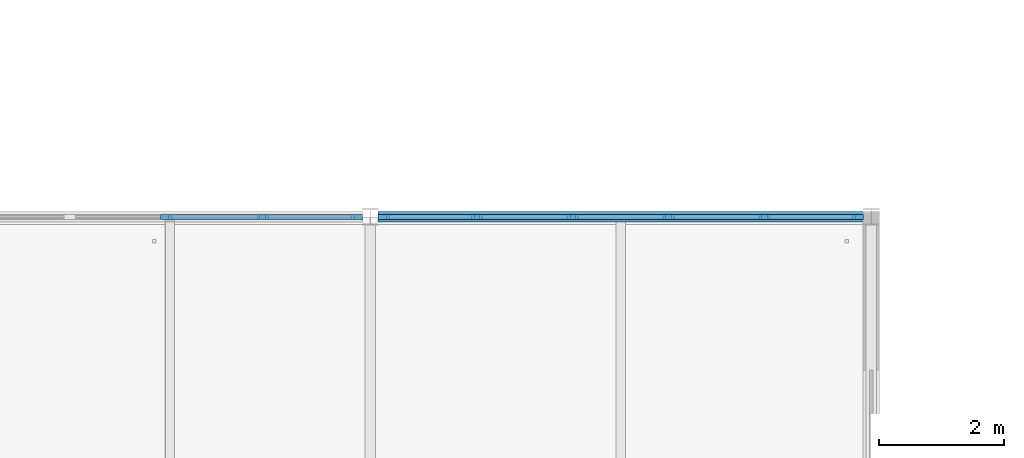
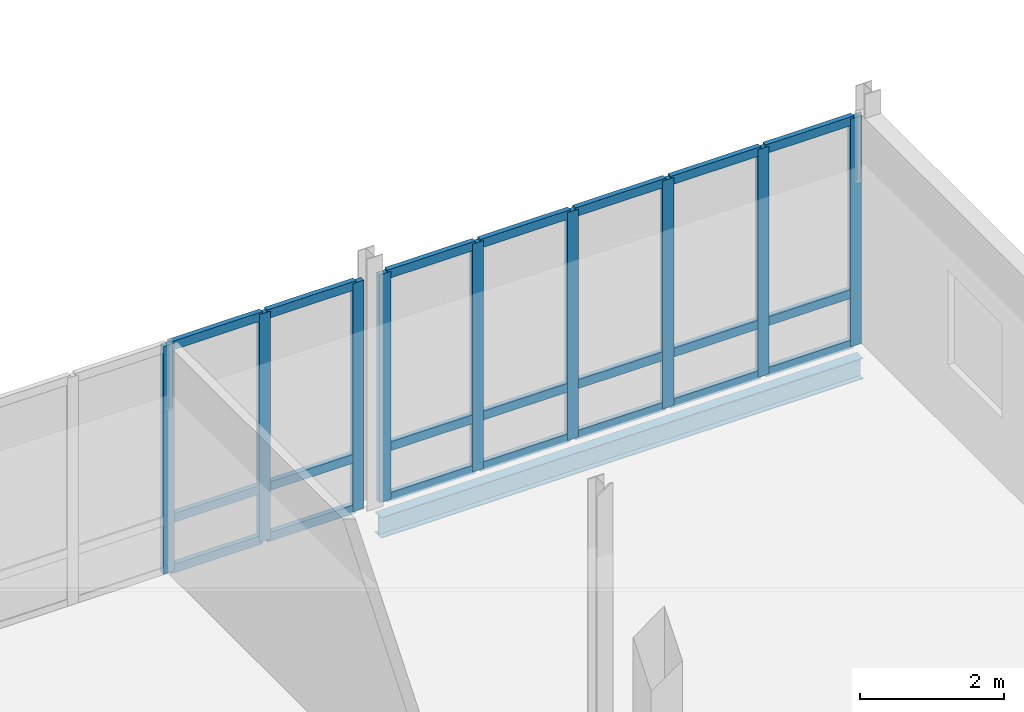
# One storey, part 34 of 107: 30 members, 1 beam, 2 elements without a shape of their own.
"""IFC4 building model written with IfcOpenShell, lengths in metres."""

from ifc_helpers import new_model, si_unit, direction, frame, origin, origin_2d, place, context, subcontext, project, spatial, rectangle, i_section, extrude, material, material_profile, profile_set, type_object, element, aggregate, save


model = new_model("IFC4")

# Units and contexts
model_context = context("Model", 3, precision=1e-05, world=origin(), true_north=direction((0.0, 1.0)))
body_context = subcontext(model_context, "Body", "Model", "MODEL_VIEW")
ifc_project = project(units=[si_unit("LENGTHUNIT", "METRE"), si_unit("AREAUNIT", "SQUARE_METRE"), si_unit("VOLUMEUNIT", "CUBIC_METRE"), si_unit("PLANEANGLEUNIT", "RADIAN"), si_unit("MASSUNIT", "GRAM", prefix="KILO")], contexts=[model_context])

# Site, building, storey
site_placement = place(None, origin())
site = spatial("IfcSite", under=ifc_project, at=site_placement, CompositionType="ELEMENT")
building_placement = place(site_placement, origin())
building = spatial("IfcBuilding", under=site, at=building_placement, Name="Dunescarp Central Library", CompositionType="ELEMENT")
storey_placement = place(building_placement, frame((0.0, 0.0, 5.10009765625)))
storey = spatial("IfcBuildingStorey", under=building, at=storey_placement, Name="L01", CompositionType="ELEMENT", Elevation=5.10009765625)

# Curtain wall, members
ifc_material_1 = material(Name="Marine-grade anodised aluminium 6063-T6", Category="aluminium")
curtain_wall_type = type_object("IfcCurtainWallType", Name="ARC-CW-STICK", PredefinedType="NOTDEFINED", material=ifc_material_1)
curtain_wall_1_placement = place(storey_placement, origin())
curtain_wall_1 = element("IfcCurtainWall", 1, at=curtain_wall_1_placement, inside=storey, type_object=curtain_wall_type, Name="L01 curtain wall CW-V3D-L01-110", PredefinedType="NOTDEFINED")
ifc_material_profile_1 = material_profile(ifc_material_1, rectangle(XDim=0.080078125, YDim=0.179931640625, at=origin_2d()), Name="AL 80x180")
ifc_profile_set_1 = profile_set([ifc_material_profile_1], Name="Marine-grade anodised aluminium 6063-T6")
member_type_1 = type_object("IfcMemberType", Name="ARC-CWM-180", PredefinedType="MULLION", material=ifc_profile_set_1)
member_1_placement = place(storey_placement, frame((113.541748046875, 49.60009765625, 0.0), z_axis=(0.0, 0.0, 1.0), x_axis=(0.0, 1.0, 0.0)))
member_1 = element("IfcMember", 2, at=member_1_placement, type_object=member_type_1, Name="CW-V3D-L01-110 mullion 5", PredefinedType="MULLION", context=body_context, shape_type="SweptSolid", body=[
    extrude(rectangle(XDim=0.080078125, YDim=0.179931640625, at=origin_2d()), origin(), (0.0, 0.0, 1.0), 3.875),
])
member_2_placement = place(storey_placement, frame((115.083251953125, 49.60009765625, 0.0), z_axis=(0.0, 0.0, 1.0), x_axis=(0.0, 1.0, 0.0)))
member_2 = element("IfcMember", 3, at=member_2_placement, type_object=member_type_1, Name="CW-V3D-L01-110 mullion 6", PredefinedType="MULLION", context=body_context, shape_type="SweptSolid", body=[
    extrude(rectangle(XDim=0.080078125, YDim=0.179931640625, at=origin_2d()), origin(), (0.0, 0.0, 1.0), 3.875),
])
member_3_placement = place(storey_placement, frame((116.5849609375, 49.60009765625, 0.0), z_axis=(0.0, 0.0, 1.0), x_axis=(0.0, 1.0, 0.0)))
member_3 = element("IfcMember", 4, at=member_3_placement, type_object=member_type_1, Name="CW-V3D-L01-110 mullion 7", PredefinedType="MULLION", context=body_context, shape_type="SweptSolid", body=[
    extrude(rectangle(XDim=0.080078125, YDim=0.179931640625, at=origin_2d()), origin(), (0.0, 0.0, 1.0), 3.875),
])

curtain_wall_2_placement = place(storey_placement, origin())
curtain_wall_2 = element("IfcCurtainWall", 5, at=curtain_wall_2_placement, inside=storey, type_object=curtain_wall_type, Name="L01 curtain wall CW-V3D-L01-111", PredefinedType="NOTDEFINED")
member_4_placement = place(storey_placement, frame((117.014892578125, 49.60009765625, 0.0), z_axis=(0.0, 0.0, 1.0), x_axis=(0.0, 1.0, 0.0)))
member_4 = element("IfcMember", 6, at=member_4_placement, type_object=member_type_1, Name="CW-V3D-L01-111 mullion 1", PredefinedType="MULLION", context=body_context, shape_type="SweptSolid", body=[
    extrude(rectangle(XDim=0.080078125, YDim=0.179931640625, at=origin_2d()), origin(), (0.0, 0.0, 1.0), 3.875),
])
member_5_placement = place(storey_placement, frame((118.5048828125, 49.60009765625, 0.0), z_axis=(0.0, 0.0, 1.0), x_axis=(0.0, 1.0, 0.0)))
member_5 = element("IfcMember", 7, at=member_5_placement, type_object=member_type_1, Name="CW-V3D-L01-111 mullion 2", PredefinedType="MULLION", context=body_context, shape_type="SweptSolid", body=[
    extrude(rectangle(XDim=0.080078125, YDim=0.179931640625, at=origin_2d()), origin(), (0.0, 0.0, 1.0), 3.875),
])
member_6_placement = place(storey_placement, frame((120.034912109375, 49.60009765625, 0.0), z_axis=(0.0, 0.0, 1.0), x_axis=(0.0, 1.0, 0.0)))
member_6 = element("IfcMember", 8, at=member_6_placement, type_object=member_type_1, Name="CW-V3D-L01-111 mullion 3", PredefinedType="MULLION", context=body_context, shape_type="SweptSolid", body=[
    extrude(rectangle(XDim=0.080078125, YDim=0.179931640625, at=origin_2d()), origin(), (0.0, 0.0, 1.0), 3.875),
])
member_7_placement = place(storey_placement, frame((121.56494140625, 49.60009765625, 0.0), z_axis=(0.0, 0.0, 1.0), x_axis=(0.0, 1.0, 0.0)))
member_7 = element("IfcMember", 9, at=member_7_placement, type_object=member_type_1, Name="CW-V3D-L01-111 mullion 4", PredefinedType="MULLION", context=body_context, shape_type="SweptSolid", body=[
    extrude(rectangle(XDim=0.080078125, YDim=0.179931640625, at=origin_2d()), origin(), (0.0, 0.0, 1.0), 3.875),
])
member_8_placement = place(storey_placement, frame((123.094970703125, 49.60009765625, 0.0), z_axis=(0.0, 0.0, 1.0), x_axis=(0.0, 1.0, 0.0)))
member_8 = element("IfcMember", 10, at=member_8_placement, type_object=member_type_1, Name="CW-V3D-L01-111 mullion 5", PredefinedType="MULLION", context=body_context, shape_type="SweptSolid", body=[
    extrude(rectangle(XDim=0.080078125, YDim=0.179931640625, at=origin_2d()), origin(), (0.0, 0.0, 1.0), 3.875),
])
member_9_placement = place(storey_placement, frame((124.5849609375, 49.60009765625, 0.0), z_axis=(0.0, 0.0, 1.0), x_axis=(0.0, 1.0, 0.0)))
member_9 = element("IfcMember", 11, at=member_9_placement, type_object=member_type_1, Name="CW-V3D-L01-111 mullion 6", PredefinedType="MULLION", context=body_context, shape_type="SweptSolid", body=[
    extrude(rectangle(XDim=0.080078125, YDim=0.179931640625, at=origin_2d()), origin(), (0.0, 0.0, 1.0), 3.875),
])

# Member
ifc_material_profile_2 = material_profile(ifc_material_1, rectangle(XDim=0.080078125, YDim=0.14990234375, at=origin_2d()), Name="AL 80x150")
ifc_profile_set_2 = profile_set([ifc_material_profile_2], Name="Marine-grade anodised aluminium 6063-T6")
member_type_2 = type_object("IfcMemberType", Name="ARC-CWT-150", PredefinedType="USERDEFINED", material=ifc_profile_set_2)
member_10_placement = place(storey_placement, frame((113.581787109375, 49.60009765625, 0.039794921875), z_axis=(1.0, 0.0, 0.0), x_axis=(0.0, 1.0, 0.0)))
member_10 = element("IfcMember", 12, at=member_10_placement, type_object=member_type_2, Name="CW-V3D-L01-110 transom 5.1", ObjectType="TRANSOM", PredefinedType="USERDEFINED", context=body_context, shape_type="SweptSolid", body=[
    extrude(rectangle(XDim=0.080078125, YDim=0.14990234375, at=origin_2d()), origin(), (0.0, 0.0, 1.0), 1.46142578125),
])

member_11_placement = place(storey_placement, frame((113.581787109375, 49.60009765625, 0.89990234375), z_axis=(1.0, 0.0, 0.0), x_axis=(0.0, 1.0, 0.0)))
member_11 = element("IfcMember", 13, at=member_11_placement, type_object=member_type_2, Name="CW-V3D-L01-110 transom 5.2", ObjectType="TRANSOM", PredefinedType="USERDEFINED", context=body_context, shape_type="SweptSolid", body=[
    extrude(rectangle(XDim=0.080078125, YDim=0.14990234375, at=origin_2d()), origin(), (0.0, 0.0, 1.0), 1.46142578125),
])

member_12_placement = place(storey_placement, frame((113.581787109375, 49.60009765625, 3.8349609375), z_axis=(1.0, 0.0, 0.0), x_axis=(0.0, 1.0, 0.0)))
member_12 = element("IfcMember", 14, at=member_12_placement, type_object=member_type_2, Name="CW-V3D-L01-110 transom 5.3", ObjectType="TRANSOM", PredefinedType="USERDEFINED", context=body_context, shape_type="SweptSolid", body=[
    extrude(rectangle(XDim=0.080078125, YDim=0.14990234375, at=origin_2d()), origin(), (0.0, 0.0, 1.0), 1.46142578125),
])

member_13_placement = place(storey_placement, frame((115.123291015625, 49.60009765625, 0.039794921875), z_axis=(1.0, 0.0, 0.0), x_axis=(0.0, 1.0, 0.0)))
member_13 = element("IfcMember", 15, at=member_13_placement, type_object=member_type_2, Name="CW-V3D-L01-110 transom 6.1", ObjectType="TRANSOM", PredefinedType="USERDEFINED", context=body_context, shape_type="SweptSolid", body=[
    extrude(rectangle(XDim=0.080078125, YDim=0.14990234375, at=origin_2d()), origin(), (0.0, 0.0, 1.0), 1.421630859375),
])

member_14_placement = place(storey_placement, frame((115.123291015625, 49.60009765625, 0.89990234375), z_axis=(1.0, 0.0, 0.0), x_axis=(0.0, 1.0, 0.0)))
member_14 = element("IfcMember", 16, at=member_14_placement, type_object=member_type_2, Name="CW-V3D-L01-110 transom 6.2", ObjectType="TRANSOM", PredefinedType="USERDEFINED", context=body_context, shape_type="SweptSolid", body=[
    extrude(rectangle(XDim=0.080078125, YDim=0.14990234375, at=origin_2d()), origin(), (0.0, 0.0, 1.0), 1.421630859375),
])

member_15_placement = place(storey_placement, frame((115.123291015625, 49.60009765625, 3.8349609375), z_axis=(1.0, 0.0, 0.0), x_axis=(0.0, 1.0, 0.0)))
member_15 = element("IfcMember", 17, at=member_15_placement, type_object=member_type_2, Name="CW-V3D-L01-110 transom 6.3", ObjectType="TRANSOM", PredefinedType="USERDEFINED", context=body_context, shape_type="SweptSolid", body=[
    extrude(rectangle(XDim=0.080078125, YDim=0.14990234375, at=origin_2d()), origin(), (0.0, 0.0, 1.0), 1.421630859375),
])

aggregate(curtain_wall_1, [member_1, member_2, member_3, member_10, member_11, member_12, member_13, member_14, member_15])

member_16_placement = place(storey_placement, frame((117.054931640625, 49.60009765625, 0.039794921875), z_axis=(1.0, 0.0, 0.0), x_axis=(0.0, 1.0, 0.0)))
member_16 = element("IfcMember", 18, at=member_16_placement, type_object=member_type_2, Name="CW-V3D-L01-111 transom 1.1", ObjectType="TRANSOM", PredefinedType="USERDEFINED", context=body_context, shape_type="SweptSolid", body=[
    extrude(rectangle(XDim=0.080078125, YDim=0.14990234375, at=origin_2d()), origin(), (0.0, 0.0, 1.0), 1.41015625),
])

member_17_placement = place(storey_placement, frame((117.054931640625, 49.60009765625, 0.89990234375), z_axis=(1.0, 0.0, 0.0), x_axis=(0.0, 1.0, 0.0)))
member_17 = element("IfcMember", 19, at=member_17_placement, type_object=member_type_2, Name="CW-V3D-L01-111 transom 1.2", ObjectType="TRANSOM", PredefinedType="USERDEFINED", context=body_context, shape_type="SweptSolid", body=[
    extrude(rectangle(XDim=0.080078125, YDim=0.14990234375, at=origin_2d()), origin(), (0.0, 0.0, 1.0), 1.41015625),
])

member_18_placement = place(storey_placement, frame((117.054931640625, 49.60009765625, 3.8349609375), z_axis=(1.0, 0.0, 0.0), x_axis=(0.0, 1.0, 0.0)))
member_18 = element("IfcMember", 20, at=member_18_placement, type_object=member_type_2, Name="CW-V3D-L01-111 transom 1.3", ObjectType="TRANSOM", PredefinedType="USERDEFINED", context=body_context, shape_type="SweptSolid", body=[
    extrude(rectangle(XDim=0.080078125, YDim=0.14990234375, at=origin_2d()), origin(), (0.0, 0.0, 1.0), 1.41015625),
])

member_19_placement = place(storey_placement, frame((118.544921875, 49.60009765625, 0.039794921875), z_axis=(1.0, 0.0, 0.0), x_axis=(0.0, 1.0, 0.0)))
member_19 = element("IfcMember", 21, at=member_19_placement, type_object=member_type_2, Name="CW-V3D-L01-111 transom 2.1", ObjectType="TRANSOM", PredefinedType="USERDEFINED", context=body_context, shape_type="SweptSolid", body=[
    extrude(rectangle(XDim=0.080078125, YDim=0.14990234375, at=origin_2d()), origin(), (0.0, 0.0, 1.0), 1.4501953125),
])

member_20_placement = place(storey_placement, frame((118.544921875, 49.60009765625, 0.89990234375), z_axis=(1.0, 0.0, 0.0), x_axis=(0.0, 1.0, 0.0)))
member_20 = element("IfcMember", 22, at=member_20_placement, type_object=member_type_2, Name="CW-V3D-L01-111 transom 2.2", ObjectType="TRANSOM", PredefinedType="USERDEFINED", context=body_context, shape_type="SweptSolid", body=[
    extrude(rectangle(XDim=0.080078125, YDim=0.14990234375, at=origin_2d()), origin(), (0.0, 0.0, 1.0), 1.4501953125),
])

member_21_placement = place(storey_placement, frame((118.544921875, 49.60009765625, 3.8349609375), z_axis=(1.0, 0.0, 0.0), x_axis=(0.0, 1.0, 0.0)))
member_21 = element("IfcMember", 23, at=member_21_placement, type_object=member_type_2, Name="CW-V3D-L01-111 transom 2.3", ObjectType="TRANSOM", PredefinedType="USERDEFINED", context=body_context, shape_type="SweptSolid", body=[
    extrude(rectangle(XDim=0.080078125, YDim=0.14990234375, at=origin_2d()), origin(), (0.0, 0.0, 1.0), 1.4501953125),
])

member_22_placement = place(storey_placement, frame((120.074951171875, 49.60009765625, 0.039794921875), z_axis=(1.0, 0.0, 0.0), x_axis=(0.0, 1.0, 0.0)))
member_22 = element("IfcMember", 24, at=member_22_placement, type_object=member_type_2, Name="CW-V3D-L01-111 transom 3.1", ObjectType="TRANSOM", PredefinedType="USERDEFINED", context=body_context, shape_type="SweptSolid", body=[
    extrude(rectangle(XDim=0.080078125, YDim=0.14990234375, at=origin_2d()), origin(), (0.0, 0.0, 1.0), 1.449951171875),
])

member_23_placement = place(storey_placement, frame((120.074951171875, 49.60009765625, 0.89990234375), z_axis=(1.0, 0.0, 0.0), x_axis=(0.0, 1.0, 0.0)))
member_23 = element("IfcMember", 25, at=member_23_placement, type_object=member_type_2, Name="CW-V3D-L01-111 transom 3.2", ObjectType="TRANSOM", PredefinedType="USERDEFINED", context=body_context, shape_type="SweptSolid", body=[
    extrude(rectangle(XDim=0.080078125, YDim=0.14990234375, at=origin_2d()), origin(), (0.0, 0.0, 1.0), 1.449951171875),
])

member_24_placement = place(storey_placement, frame((120.074951171875, 49.60009765625, 3.8349609375), z_axis=(1.0, 0.0, 0.0), x_axis=(0.0, 1.0, 0.0)))
member_24 = element("IfcMember", 26, at=member_24_placement, type_object=member_type_2, Name="CW-V3D-L01-111 transom 3.3", ObjectType="TRANSOM", PredefinedType="USERDEFINED", context=body_context, shape_type="SweptSolid", body=[
    extrude(rectangle(XDim=0.080078125, YDim=0.14990234375, at=origin_2d()), origin(), (0.0, 0.0, 1.0), 1.449951171875),
])

member_25_placement = place(storey_placement, frame((121.60498046875, 49.60009765625, 0.039794921875), z_axis=(1.0, 0.0, 0.0), x_axis=(0.0, 1.0, 0.0)))
member_25 = element("IfcMember", 27, at=member_25_placement, type_object=member_type_2, Name="CW-V3D-L01-111 transom 4.1", ObjectType="TRANSOM", PredefinedType="USERDEFINED", context=body_context, shape_type="SweptSolid", body=[
    extrude(rectangle(XDim=0.080078125, YDim=0.14990234375, at=origin_2d()), origin(), (0.0, 0.0, 1.0), 1.449951171875),
])

member_26_placement = place(storey_placement, frame((121.60498046875, 49.60009765625, 0.89990234375), z_axis=(1.0, 0.0, 0.0), x_axis=(0.0, 1.0, 0.0)))
member_26 = element("IfcMember", 28, at=member_26_placement, type_object=member_type_2, Name="CW-V3D-L01-111 transom 4.2", ObjectType="TRANSOM", PredefinedType="USERDEFINED", context=body_context, shape_type="SweptSolid", body=[
    extrude(rectangle(XDim=0.080078125, YDim=0.14990234375, at=origin_2d()), origin(), (0.0, 0.0, 1.0), 1.449951171875),
])

member_27_placement = place(storey_placement, frame((121.60498046875, 49.60009765625, 3.8349609375), z_axis=(1.0, 0.0, 0.0), x_axis=(0.0, 1.0, 0.0)))
member_27 = element("IfcMember", 29, at=member_27_placement, type_object=member_type_2, Name="CW-V3D-L01-111 transom 4.3", ObjectType="TRANSOM", PredefinedType="USERDEFINED", context=body_context, shape_type="SweptSolid", body=[
    extrude(rectangle(XDim=0.080078125, YDim=0.14990234375, at=origin_2d()), origin(), (0.0, 0.0, 1.0), 1.449951171875),
])

member_28_placement = place(storey_placement, frame((123.135009765625, 49.60009765625, 0.039794921875), z_axis=(1.0, 0.0, 0.0), x_axis=(0.0, 1.0, 0.0)))
member_28 = element("IfcMember", 30, at=member_28_placement, type_object=member_type_2, Name="CW-V3D-L01-111 transom 5.1", ObjectType="TRANSOM", PredefinedType="USERDEFINED", context=body_context, shape_type="SweptSolid", body=[
    extrude(rectangle(XDim=0.080078125, YDim=0.14990234375, at=origin_2d()), origin(), (0.0, 0.0, 1.0), 1.409912109375),
])

member_29_placement = place(storey_placement, frame((123.135009765625, 49.60009765625, 0.89990234375), z_axis=(1.0, 0.0, 0.0), x_axis=(0.0, 1.0, 0.0)))
member_29 = element("IfcMember", 31, at=member_29_placement, type_object=member_type_2, Name="CW-V3D-L01-111 transom 5.2", ObjectType="TRANSOM", PredefinedType="USERDEFINED", context=body_context, shape_type="SweptSolid", body=[
    extrude(rectangle(XDim=0.080078125, YDim=0.14990234375, at=origin_2d()), origin(), (0.0, 0.0, 1.0), 1.409912109375),
])

member_30_placement = place(storey_placement, frame((123.135009765625, 49.60009765625, 3.8349609375), z_axis=(1.0, 0.0, 0.0), x_axis=(0.0, 1.0, 0.0)))
member_30 = element("IfcMember", 32, at=member_30_placement, type_object=member_type_2, Name="CW-V3D-L01-111 transom 5.3", ObjectType="TRANSOM", PredefinedType="USERDEFINED", context=body_context, shape_type="SweptSolid", body=[
    extrude(rectangle(XDim=0.080078125, YDim=0.14990234375, at=origin_2d()), origin(), (0.0, 0.0, 1.0), 1.409912109375),
])

aggregate(curtain_wall_2, [member_4, member_5, member_6, member_7, member_8, member_9, member_16, member_17, member_18, member_19, member_20, member_21, member_22, member_23, member_24, member_25, member_26, member_27, member_28, member_29, member_30])

# Beam
ifc_material_2 = material(Name="Steel S355JR", Category="steel")
ifc_material_profile_3 = material_profile(ifc_material_2, i_section(OverallWidth=0.17138671875, OverallDepth=0.35498046875, WebThickness=0.00732421875, FlangeThickness=0.011474609375, at=origin_2d()), Name="UB 356x171x51")
ifc_profile_set_3 = profile_set([ifc_material_profile_3], Name="Steel S355JR")
beam_type = type_object("IfcBeamType", Name="STR-BM-UB356X51", PredefinedType="BEAM", material=ifc_profile_set_3)
beam_placement = place(storey_placement, frame((116.925048828125, 49.60009765625, -0.398193359375), z_axis=(1.0, 0.0, 0.0), x_axis=(0.0, 1.0, 0.0)))
element("IfcBeam", 33, at=beam_placement, inside=storey, type_object=beam_type, Name="L01 girder BM-L01-1307", PredefinedType="BEAM", context=body_context, shape_type="SweptSolid", body=[
    extrude(i_section(OverallWidth=0.17138671875, OverallDepth=0.35498046875, WebThickness=0.00732421875, FlangeThickness=0.011474609375, at=origin_2d()), origin(), (0.0, 0.0, 1.0), 7.75),
])

save(model, "model.ifc")
